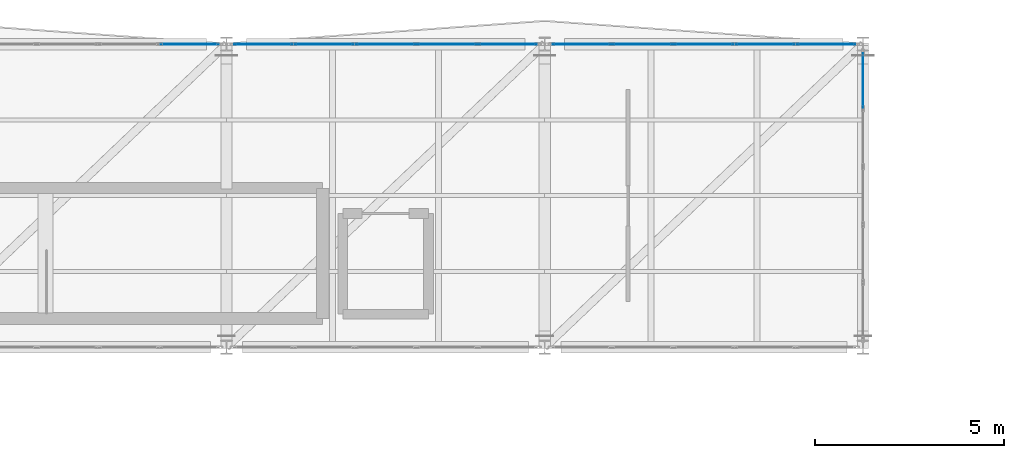
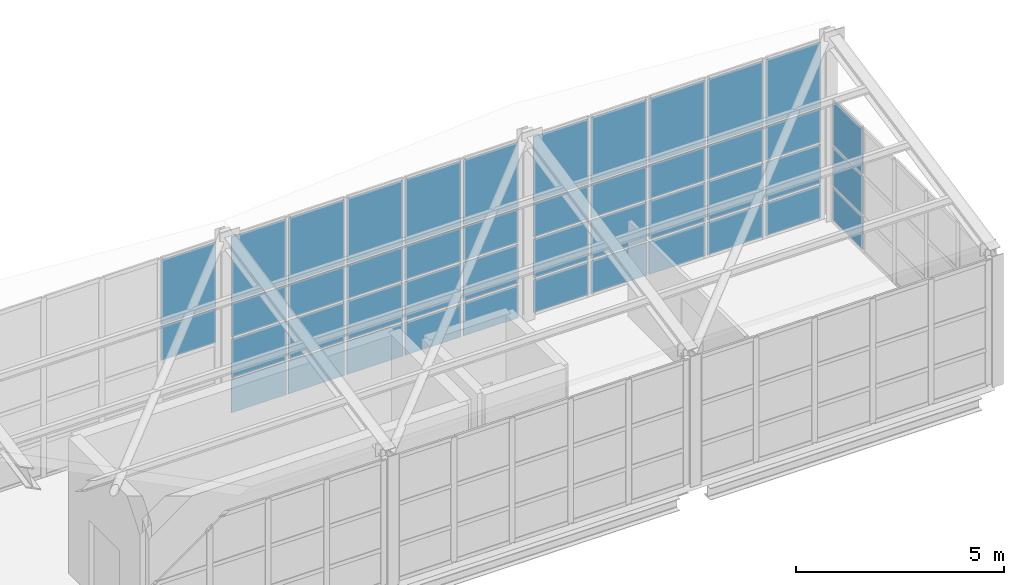
# One storey, part 140 of 177: 45 plates, 4 elements without a shape of their own.
"""IFC4 building model written with IfcOpenShell, lengths in metres."""

import ifcopenshell
import ifcopenshell.guid

model = None  # the IFC model being written
_history = None  # IfcOwnerHistory: only IFC2X3 demands one
_inside = {}  # id of a spatial element -> (the spatial element, [elements in it])
_under = {}  # id of a project, library or spatial element -> (it, [spatial elements below it])
_declared = {}  # id of a project -> (the project, [libraries it declares])
_typed = {}  # id of a type object -> (the type object, [elements of that type])
_made_of = {}  # id of a material, layer set ... -> (it, [elements and type objects made of it])


def new_model(schema):
    """Start an empty IFC model of exactly this schema.

    Asked for "IFC4X3", IfcOpenShell would pick the latest addendum, in which some entities
    have other attributes; the version numbers below select the first issue.
    IFC2X3 requires an IfcOwnerHistory on every rooted entity: one is made here for all.
    """
    global model, _history
    if schema == "IFC4X3":
        model = ifcopenshell.file(schema_version=(4, 3, 0, 0))
    else:
        model = ifcopenshell.file(schema=schema)
    _inside.clear()
    _under.clear()
    _declared.clear()
    _typed.clear()
    _made_of.clear()
    _history = None
    if model.schema == "IFC2X3":
        org = make("IfcOrganization", Name="unknown")
        user = make(
            "IfcPersonAndOrganization",
            ThePerson=make("IfcPerson", FamilyName="unknown"),
            TheOrganization=org,
        )
        app = make(
            "IfcApplication",
            ApplicationDeveloper=org,
            Version="unknown",
            ApplicationFullName="unknown",
            ApplicationIdentifier="unknown",
        )
        _history = make(
            "IfcOwnerHistory",
            OwningUser=user,
            OwningApplication=app,
            ChangeAction="ADDED",
            CreationDate=0,
        )
    return model


def make(cls, **values):
    """One entity of the class cls with the attributes given. An attribute that is None is left unset."""
    return model.create_entity(
        cls, **{name: value for name, value in values.items() if value is not None}
    )


def rooted(cls, **values):
    """An entity with a GlobalId (a new one), such as an element, a storey or a relation."""
    return make(cls, GlobalId=ifcopenshell.guid.new(), OwnerHistory=_history, **values)


def si_unit(unit_type, name, prefix=None):
    """IfcSIUnit, for example si_unit("LENGTHUNIT", "METRE", prefix="MILLI")."""
    return make("IfcSIUnit", UnitType=unit_type, Prefix=prefix, Name=name)


def assignment(units):
    """IfcUnitAssignment: the units of a project."""
    return None if units is None else make("IfcUnitAssignment", Units=units)


def point(xyz):
    """IfcCartesianPoint."""
    return None if xyz is None else make("IfcCartesianPoint", Coordinates=xyz)


def direction(xyz):
    """IfcDirection."""
    return None if xyz is None else make("IfcDirection", DirectionRatios=xyz)


def frame(location, z_axis=None, x_axis=None):
    """IfcAxis2Placement3D, a coordinate frame: its origin and axes. An axis left out is left unset."""
    return make(
        "IfcAxis2Placement3D",
        Location=point(location),
        Axis=direction(z_axis),
        RefDirection=direction(x_axis),
    )


def frame_2d(location, x_axis=None):
    """IfcAxis2Placement2D, a coordinate frame in the plane: its origin and x axis."""
    return make(
        "IfcAxis2Placement2D", Location=point(location), RefDirection=direction(x_axis)
    )


def origin():
    """The frame at (0, 0, 0) with its axes left unset."""
    return frame((0.0, 0.0, 0.0))


def origin_2d():
    """The frame at (0, 0) in the plane with its x axis left unset."""
    return frame_2d((0.0, 0.0))


def place(relative_to, where):
    """IfcLocalPlacement: puts the frame where relative to a parent placement (None: the world)."""
    return make(
        "IfcLocalPlacement", PlacementRelTo=relative_to, RelativePlacement=where
    )


def context(
    kind, dimensions, precision=None, world=None, true_north=None, identifier=None
):
    """IfcGeometricRepresentationContext, for example the 3D "Model" context."""
    return make(
        "IfcGeometricRepresentationContext",
        ContextIdentifier=identifier,
        ContextType=kind,
        CoordinateSpaceDimension=dimensions,
        Precision=precision,
        WorldCoordinateSystem=world,
        TrueNorth=true_north,
    )


def subcontext(parent, identifier, kind, view, scale=None):
    """IfcGeometricRepresentationSubContext, for example "Body" below "Model"."""
    return make(
        "IfcGeometricRepresentationSubContext",
        ContextIdentifier=identifier,
        ContextType=kind,
        ParentContext=parent,
        TargetScale=scale,
        TargetView=view,
    )


def project(units=None, contexts=None):
    """IfcProject with its units and contexts."""
    return rooted(
        "IfcProject",
        Name="project",
        RepresentationContexts=contexts,
        UnitsInContext=assignment(units),
    )


def spatial(cls, under=None, at=None, **own):
    """A site, building, storey or space (cls), placed at a placement, below another one or the project."""
    s = rooted(cls, ObjectPlacement=at, **own)
    if under is not None:
        _under.setdefault(under.id(), (under, []))[1].append(s)
    return s


def profile(cls, at=None, kind="AREA", **sizes):
    """A parametric profile (cls). Its sizes go by their IFC names, for example OverallWidth=200.0."""
    return make(cls, ProfileType=kind, Position=at, **sizes)


def rectangle(**sizes):
    """IfcRectangleProfileDef."""
    return profile("IfcRectangleProfileDef", **sizes)


def extrude(swept, where, along, depth):
    """IfcExtrudedAreaSolid: the profile swept, set in the frame where, extruded along a direction by depth."""
    return make(
        "IfcExtrudedAreaSolid",
        SweptArea=swept,
        Position=where,
        ExtrudedDirection=direction(along),
        Depth=depth,
    )


def shape(context_of_items, identifier, shape_type, items):
    """IfcShapeRepresentation: the items that make up one representation, for example the "Body"."""
    return make(
        "IfcShapeRepresentation",
        ContextOfItems=context_of_items,
        RepresentationIdentifier=identifier,
        RepresentationType=shape_type,
        Items=items,
    )


def material(Name=None, Category=None):
    """IfcMaterial."""
    return make("IfcMaterial", Name=Name, Category=Category)


def layer(
    of_material, thickness, ventilated=None, Name=None, Category=None, Priority=None
):
    """IfcMaterialLayer: one layer of a wall or slab, of a material (None: an air gap)."""
    return make(
        "IfcMaterialLayer",
        Material=of_material,
        LayerThickness=thickness,
        IsVentilated=ventilated,
        Name=Name,
        Category=Category,
        Priority=Priority,
    )


def layer_set(layers, Name=None):
    """IfcMaterialLayerSet."""
    return make("IfcMaterialLayerSet", MaterialLayers=layers, LayerSetName=Name)


def made_of(thing, what):
    """Note that an element or type object is made of a material, layer set ...; save() writes the relation."""
    if what is not None:
        _made_of.setdefault(what.id(), (what, []))[1].append(thing)
    return thing


def type_object(cls, material=None, **own):
    """A type object (cls), such as IfcWallType, which elements share."""
    return made_of(rooted(cls, **own), material)


def element(
    cls,
    number,
    at=None,
    inside=None,
    cuts=None,
    type_object=None,
    material=None,
    context=None,
    identifier="Body",
    shape_type=None,
    held_by="IfcProductDefinitionShape",
    body=None,
    shapes=None,
    **own,
):
    """One element of the class cls, such as IfcWall. Its Tag is "e" and its number.

    at: its placement. inside: the storey or other place that contains it. cuts: it is an
    opening in that element (IfcRelVoidsElement). A single representation is given by context,
    identifier, shape_type and body (its items); several are given by shapes. held_by: the class
    of the entity that holds the representations. save() writes the other relations.
    """
    e = rooted(cls, Tag="e%d" % number, ObjectPlacement=at, **own)
    if body is not None:
        shapes = [shape(context, identifier, shape_type, body)]
    if shapes is not None:
        e.Representation = make(held_by, Representations=shapes)
    if inside is not None:
        _inside.setdefault(inside.id(), (inside, []))[1].append(e)
    if cuts is not None:
        rooted(
            "IfcRelVoidsElement", RelatingBuildingElement=cuts, RelatedOpeningElement=e
        )
    if type_object is not None:
        _typed.setdefault(type_object.id(), (type_object, []))[1].append(e)
    return made_of(e, material)


def aggregate(whole, parts):
    """IfcRelAggregates: a whole, such as a stair, and the parts it consists of."""
    return rooted("IfcRelAggregates", RelatingObject=whole, RelatedObjects=parts)


def save(model, path):
    """Write the relations noted so far, then the file.

    IfcRelAggregates (storeys below a building ...), IfcRelContainedInSpatialStructure (elements
    in a storey), IfcRelDefinesByType, IfcRelAssociatesMaterial and IfcRelDeclares: one each for
    every whole, place, type object, material and project.
    """
    for whole, parts in _under.values():
        aggregate(whole, parts)
    for where, things in _inside.values():
        rooted(
            "IfcRelContainedInSpatialStructure",
            RelatedElements=things,
            RelatingStructure=where,
        )
    for kind, things in _typed.values():
        rooted("IfcRelDefinesByType", RelatedObjects=things, RelatingType=kind)
    for what, things in _made_of.values():
        rooted("IfcRelAssociatesMaterial", RelatedObjects=things, RelatingMaterial=what)
    for by, libraries in _declared.values():
        rooted("IfcRelDeclares", RelatingContext=by, RelatedDefinitions=libraries)
    model.write(path)


model = new_model("IFC4")

# Units and contexts
model_context = context("Model", 3, precision=1e-05, world=origin(), true_north=direction((0.0, 1.0)))
body_context = subcontext(model_context, "Body", "Model", "MODEL_VIEW")
ifc_project = project(units=[si_unit("LENGTHUNIT", "METRE"), si_unit("AREAUNIT", "SQUARE_METRE"), si_unit("VOLUMEUNIT", "CUBIC_METRE"), si_unit("PLANEANGLEUNIT", "RADIAN"), si_unit("MASSUNIT", "GRAM", prefix="KILO"), si_unit("THERMODYNAMICTEMPERATUREUNIT", "KELVIN"), si_unit("POWERUNIT", "WATT")], contexts=[model_context])

# Site, building, storey
site_placement = place(None, origin())
site = spatial("IfcSite", under=ifc_project, at=site_placement, CompositionType="ELEMENT")
building_placement = place(site_placement, origin())
building = spatial("IfcBuilding", under=site, at=building_placement, Name="Mavoryth Pier Ferry Terminal", CompositionType="ELEMENT")
storey_placement = place(building_placement, frame((0.0, 0.0, 5.43994140625)))
storey = spatial("IfcBuildingStorey", under=building, at=storey_placement, Name="L01", CompositionType="ELEMENT", Elevation=5.43994140625)

# Curtain wall, plates
ifc_material_1 = material(Name="Anodised Aluminium and Solar-Control Low-E Glass", Category="aluminium")
ifc_layer_1 = layer(ifc_material_1, 0.139892578125, Name="Anodised Aluminium and Solar-Control Low-E Glass", Category="aluminium")
ifc_layer_set_1 = layer_set([ifc_layer_1], Name="Anodised Aluminium and Solar-Control Low-E Glass - CW-Gallery-Mod1600")
curtain_wall_type = type_object("IfcCurtainWallType", Name="CW-Gallery-Mod1600", PredefinedType="USERDEFINED", material=ifc_layer_set_1)
curtain_wall_1_placement = place(storey_placement, origin())
curtain_wall_1 = element("IfcCurtainWall", 1, at=curtain_wall_1_placement, inside=storey, type_object=curtain_wall_type, Name="Curtain Wall CW-0122-090", ObjectType="UNITISED CURTAIN WALL", PredefinedType="USERDEFINED")
ifc_material_2 = material(Name="Solar-Control Low-E Laminated Double Glazing", Category="glass")
ifc_layer_2 = layer(ifc_material_2, 0.02392578125, Name="Solar-Control Low-E Laminated Double Glazing", Category="glass")
ifc_layer_set_2 = layer_set([ifc_layer_2], Name="Solar-Control Low-E Laminated Double Glazing - Panel-LowE-DGU-24")
plate_type = type_object("IfcPlateType", Name="Panel-LowE-DGU-24", PredefinedType="CURTAIN_PANEL", material=ifc_layer_set_2)
plate_1_placement = place(storey_placement, frame((133.425048828125, 114.0, 2.2802734375), z_axis=(0.0, 0.0, 1.0), x_axis=(-1.0, 0.0, 0.0)))
plate_1 = element("IfcPlate", 2, at=plate_1_placement, type_object=plate_type, Name="CW05 panel 1.3", PredefinedType="CURTAIN_PANEL", context=body_context, shape_type="SweptSolid", body=[
    extrude(rectangle(XDim=1.530029296875, YDim=0.02392578125, at=origin_2d()), origin(), (0.0, 0.0, 1.0), 0.989990234375),
])
plate_2_placement = place(storey_placement, frame((133.425048828125, 114.0, 3.330078125), z_axis=(0.0, 0.0, 1.0), x_axis=(-1.0, 0.0, 0.0)))
plate_2 = element("IfcPlate", 3, at=plate_2_placement, type_object=plate_type, Name="CW05 panel 1.4", PredefinedType="CURTAIN_PANEL", context=body_context, shape_type="SweptSolid", body=[
    extrude(rectangle(XDim=1.530029296875, YDim=0.02392578125, at=origin_2d()), origin(), (0.0, 0.0, 1.0), 1.897705078125),
])
aggregate(curtain_wall_1, [plate_1, plate_2])

curtain_wall_2_placement = place(storey_placement, origin())
curtain_wall_2 = element("IfcCurtainWall", 4, at=curtain_wall_2_placement, inside=storey, type_object=curtain_wall_type, Name="Curtain Wall CW-0122-092", ObjectType="UNITISED CURTAIN WALL", PredefinedType="USERDEFINED")
plate_3_placement = place(storey_placement, frame((141.824951171875, 114.0, 0.06005859375), z_axis=(0.0, 0.0, 1.0), x_axis=(-1.0, 0.0, 0.0)))
plate_3 = element("IfcPlate", 5, at=plate_3_placement, type_object=plate_type, Name="CW05 panel 1.1", PredefinedType="CURTAIN_PANEL", context=body_context, shape_type="SweptSolid", body=[
    extrude(rectangle(XDim=1.530029296875, YDim=0.02392578125, at=origin_2d()), origin(), (0.0, 0.0, 1.0), 0.9599609375),
])
plate_4_placement = place(storey_placement, frame((141.824951171875, 114.0, 1.080078125), z_axis=(0.0, 0.0, 1.0), x_axis=(-1.0, 0.0, 0.0)))
plate_4 = element("IfcPlate", 6, at=plate_4_placement, type_object=plate_type, Name="CW05 panel 1.2", PredefinedType="CURTAIN_PANEL", context=body_context, shape_type="SweptSolid", body=[
    extrude(rectangle(XDim=1.530029296875, YDim=0.02392578125, at=origin_2d()), origin(), (0.0, 0.0, 1.0), 1.139892578125),
])
plate_5_placement = place(storey_placement, frame((141.824951171875, 114.0, 2.2802734375), z_axis=(0.0, 0.0, 1.0), x_axis=(-1.0, 0.0, 0.0)))
plate_5 = element("IfcPlate", 7, at=plate_5_placement, type_object=plate_type, Name="CW05 panel 1.3", PredefinedType="CURTAIN_PANEL", context=body_context, shape_type="SweptSolid", body=[
    extrude(rectangle(XDim=1.530029296875, YDim=0.02392578125, at=origin_2d()), origin(), (0.0, 0.0, 1.0), 0.989990234375),
])
plate_6_placement = place(storey_placement, frame((141.824951171875, 114.0, 3.330078125), z_axis=(0.0, 0.0, 1.0), x_axis=(-1.0, 0.0, 0.0)))
plate_6 = element("IfcPlate", 8, at=plate_6_placement, type_object=plate_type, Name="CW05 panel 1.4", PredefinedType="CURTAIN_PANEL", context=body_context, shape_type="SweptSolid", body=[
    extrude(rectangle(XDim=1.530029296875, YDim=0.02392578125, at=origin_2d()), origin(), (0.0, 0.0, 1.0), 1.897705078125),
])
plate_7_placement = place(storey_placement, frame((140.219970703125, 114.0, 0.06005859375), z_axis=(0.0, 0.0, 1.0), x_axis=(-1.0, 0.0, 0.0)))
plate_7 = element("IfcPlate", 9, at=plate_7_placement, type_object=plate_type, Name="CW05 panel 2.1", PredefinedType="CURTAIN_PANEL", context=body_context, shape_type="SweptSolid", body=[
    extrude(rectangle(XDim=1.56005859375, YDim=0.02392578125, at=origin_2d()), origin(), (0.0, 0.0, 1.0), 0.9599609375),
])
plate_8_placement = place(storey_placement, frame((140.219970703125, 114.0, 1.080078125), z_axis=(0.0, 0.0, 1.0), x_axis=(-1.0, 0.0, 0.0)))
plate_8 = element("IfcPlate", 10, at=plate_8_placement, type_object=plate_type, Name="CW05 panel 2.2", PredefinedType="CURTAIN_PANEL", context=body_context, shape_type="SweptSolid", body=[
    extrude(rectangle(XDim=1.56005859375, YDim=0.02392578125, at=origin_2d()), origin(), (0.0, 0.0, 1.0), 1.139892578125),
])
plate_9_placement = place(storey_placement, frame((140.219970703125, 114.0, 2.2802734375), z_axis=(0.0, 0.0, 1.0), x_axis=(-1.0, 0.0, 0.0)))
plate_9 = element("IfcPlate", 11, at=plate_9_placement, type_object=plate_type, Name="CW05 panel 2.3", PredefinedType="CURTAIN_PANEL", context=body_context, shape_type="SweptSolid", body=[
    extrude(rectangle(XDim=1.56005859375, YDim=0.02392578125, at=origin_2d()), origin(), (0.0, 0.0, 1.0), 0.989990234375),
])
plate_10_placement = place(storey_placement, frame((140.219970703125, 114.0, 3.330078125), z_axis=(0.0, 0.0, 1.0), x_axis=(-1.0, 0.0, 0.0)))
plate_10 = element("IfcPlate", 12, at=plate_10_placement, type_object=plate_type, Name="CW05 panel 2.4", PredefinedType="CURTAIN_PANEL", context=body_context, shape_type="SweptSolid", body=[
    extrude(rectangle(XDim=1.56005859375, YDim=0.02392578125, at=origin_2d()), origin(), (0.0, 0.0, 1.0), 1.897705078125),
])
plate_11_placement = place(storey_placement, frame((138.60009765625, 114.0, 0.06005859375), z_axis=(0.0, 0.0, 1.0), x_axis=(-1.0, 0.0, 0.0)))
plate_11 = element("IfcPlate", 13, at=plate_11_placement, type_object=plate_type, Name="CW05 panel 3.1", PredefinedType="CURTAIN_PANEL", context=body_context, shape_type="SweptSolid", body=[
    extrude(rectangle(XDim=1.56005859375, YDim=0.02392578125, at=origin_2d()), origin(), (0.0, 0.0, 1.0), 0.9599609375),
])
plate_12_placement = place(storey_placement, frame((138.60009765625, 114.0, 1.080078125), z_axis=(0.0, 0.0, 1.0), x_axis=(-1.0, 0.0, 0.0)))
plate_12 = element("IfcPlate", 14, at=plate_12_placement, type_object=plate_type, Name="CW05 panel 3.2", PredefinedType="CURTAIN_PANEL", context=body_context, shape_type="SweptSolid", body=[
    extrude(rectangle(XDim=1.56005859375, YDim=0.02392578125, at=origin_2d()), origin(), (0.0, 0.0, 1.0), 1.139892578125),
])
plate_13_placement = place(storey_placement, frame((138.60009765625, 114.0, 2.2802734375), z_axis=(0.0, 0.0, 1.0), x_axis=(-1.0, 0.0, 0.0)))
plate_13 = element("IfcPlate", 15, at=plate_13_placement, type_object=plate_type, Name="CW05 panel 3.3", PredefinedType="CURTAIN_PANEL", context=body_context, shape_type="SweptSolid", body=[
    extrude(rectangle(XDim=1.56005859375, YDim=0.02392578125, at=origin_2d()), origin(), (0.0, 0.0, 1.0), 0.989990234375),
])
plate_14_placement = place(storey_placement, frame((138.60009765625, 114.0, 3.330078125), z_axis=(0.0, 0.0, 1.0), x_axis=(-1.0, 0.0, 0.0)))
plate_14 = element("IfcPlate", 16, at=plate_14_placement, type_object=plate_type, Name="CW05 panel 3.4", PredefinedType="CURTAIN_PANEL", context=body_context, shape_type="SweptSolid", body=[
    extrude(rectangle(XDim=1.56005859375, YDim=0.02392578125, at=origin_2d()), origin(), (0.0, 0.0, 1.0), 1.897705078125),
])
plate_15_placement = place(storey_placement, frame((136.97998046875, 114.0, 0.06005859375), z_axis=(0.0, 0.0, 1.0), x_axis=(-1.0, 0.0, 0.0)))
plate_15 = element("IfcPlate", 17, at=plate_15_placement, type_object=plate_type, Name="CW05 panel 4.1", PredefinedType="CURTAIN_PANEL", context=body_context, shape_type="SweptSolid", body=[
    extrude(rectangle(XDim=1.56005859375, YDim=0.02392578125, at=origin_2d()), origin(), (0.0, 0.0, 1.0), 0.9599609375),
])
plate_16_placement = place(storey_placement, frame((136.97998046875, 114.0, 1.080078125), z_axis=(0.0, 0.0, 1.0), x_axis=(-1.0, 0.0, 0.0)))
plate_16 = element("IfcPlate", 18, at=plate_16_placement, type_object=plate_type, Name="CW05 panel 4.2", PredefinedType="CURTAIN_PANEL", context=body_context, shape_type="SweptSolid", body=[
    extrude(rectangle(XDim=1.56005859375, YDim=0.02392578125, at=origin_2d()), origin(), (0.0, 0.0, 1.0), 1.139892578125),
])
plate_17_placement = place(storey_placement, frame((136.97998046875, 114.0, 2.2802734375), z_axis=(0.0, 0.0, 1.0), x_axis=(-1.0, 0.0, 0.0)))
plate_17 = element("IfcPlate", 19, at=plate_17_placement, type_object=plate_type, Name="CW05 panel 4.3", PredefinedType="CURTAIN_PANEL", context=body_context, shape_type="SweptSolid", body=[
    extrude(rectangle(XDim=1.56005859375, YDim=0.02392578125, at=origin_2d()), origin(), (0.0, 0.0, 1.0), 0.989990234375),
])
plate_18_placement = place(storey_placement, frame((136.97998046875, 114.0, 3.330078125), z_axis=(0.0, 0.0, 1.0), x_axis=(-1.0, 0.0, 0.0)))
plate_18 = element("IfcPlate", 20, at=plate_18_placement, type_object=plate_type, Name="CW05 panel 4.4", PredefinedType="CURTAIN_PANEL", context=body_context, shape_type="SweptSolid", body=[
    extrude(rectangle(XDim=1.56005859375, YDim=0.02392578125, at=origin_2d()), origin(), (0.0, 0.0, 1.0), 1.897705078125),
])
plate_19_placement = place(storey_placement, frame((135.375, 114.0, 0.06005859375), z_axis=(0.0, 0.0, 1.0), x_axis=(-1.0, 0.0, 0.0)))
plate_19 = element("IfcPlate", 21, at=plate_19_placement, type_object=plate_type, Name="CW05 panel 5.1", PredefinedType="CURTAIN_PANEL", context=body_context, shape_type="SweptSolid", body=[
    extrude(rectangle(XDim=1.530029296875, YDim=0.02392578125, at=origin_2d()), origin(), (0.0, 0.0, 1.0), 0.9599609375),
])
plate_20_placement = place(storey_placement, frame((135.375, 114.0, 1.080078125), z_axis=(0.0, 0.0, 1.0), x_axis=(-1.0, 0.0, 0.0)))
plate_20 = element("IfcPlate", 22, at=plate_20_placement, type_object=plate_type, Name="CW05 panel 5.2", PredefinedType="CURTAIN_PANEL", context=body_context, shape_type="SweptSolid", body=[
    extrude(rectangle(XDim=1.530029296875, YDim=0.02392578125, at=origin_2d()), origin(), (0.0, 0.0, 1.0), 1.139892578125),
])
plate_21_placement = place(storey_placement, frame((135.375, 114.0, 2.2802734375), z_axis=(0.0, 0.0, 1.0), x_axis=(-1.0, 0.0, 0.0)))
plate_21 = element("IfcPlate", 23, at=plate_21_placement, type_object=plate_type, Name="CW05 panel 5.3", PredefinedType="CURTAIN_PANEL", context=body_context, shape_type="SweptSolid", body=[
    extrude(rectangle(XDim=1.530029296875, YDim=0.02392578125, at=origin_2d()), origin(), (0.0, 0.0, 1.0), 0.989990234375),
])
plate_22_placement = place(storey_placement, frame((135.375, 114.0, 3.330078125), z_axis=(0.0, 0.0, 1.0), x_axis=(-1.0, 0.0, 0.0)))
plate_22 = element("IfcPlate", 24, at=plate_22_placement, type_object=plate_type, Name="CW05 panel 5.4", PredefinedType="CURTAIN_PANEL", context=body_context, shape_type="SweptSolid", body=[
    extrude(rectangle(XDim=1.530029296875, YDim=0.02392578125, at=origin_2d()), origin(), (0.0, 0.0, 1.0), 1.897705078125),
])
aggregate(curtain_wall_2, [plate_3, plate_4, plate_5, plate_6, plate_7, plate_8, plate_9, plate_10, plate_11, plate_12, plate_13, plate_14, plate_15, plate_16, plate_17, plate_18, plate_19, plate_20, plate_21, plate_22])

curtain_wall_3_placement = place(storey_placement, origin())
curtain_wall_3 = element("IfcCurtainWall", 25, at=curtain_wall_3_placement, inside=storey, type_object=curtain_wall_type, Name="Curtain Wall CW-0122-094", ObjectType="UNITISED CURTAIN WALL", PredefinedType="USERDEFINED")
plate_23_placement = place(storey_placement, frame((150.22509765625, 114.0, 0.06005859375), z_axis=(0.0, 0.0, 1.0), x_axis=(-1.0, 0.0, 0.0)))
plate_23 = element("IfcPlate", 26, at=plate_23_placement, type_object=plate_type, Name="CW05 panel 1.1", PredefinedType="CURTAIN_PANEL", context=body_context, shape_type="SweptSolid", body=[
    extrude(rectangle(XDim=1.530029296875, YDim=0.02392578125, at=origin_2d()), origin(), (0.0, 0.0, 1.0), 0.9599609375),
])
plate_24_placement = place(storey_placement, frame((150.22509765625, 114.0, 1.080078125), z_axis=(0.0, 0.0, 1.0), x_axis=(-1.0, 0.0, 0.0)))
plate_24 = element("IfcPlate", 27, at=plate_24_placement, type_object=plate_type, Name="CW05 panel 1.2", PredefinedType="CURTAIN_PANEL", context=body_context, shape_type="SweptSolid", body=[
    extrude(rectangle(XDim=1.530029296875, YDim=0.02392578125, at=origin_2d()), origin(), (0.0, 0.0, 1.0), 1.139892578125),
])
plate_25_placement = place(storey_placement, frame((150.22509765625, 114.0, 2.2802734375), z_axis=(0.0, 0.0, 1.0), x_axis=(-1.0, 0.0, 0.0)))
plate_25 = element("IfcPlate", 28, at=plate_25_placement, type_object=plate_type, Name="CW05 panel 1.3", PredefinedType="CURTAIN_PANEL", context=body_context, shape_type="SweptSolid", body=[
    extrude(rectangle(XDim=1.530029296875, YDim=0.02392578125, at=origin_2d()), origin(), (0.0, 0.0, 1.0), 0.989990234375),
])
plate_26_placement = place(storey_placement, frame((150.22509765625, 114.0, 3.330078125), z_axis=(0.0, 0.0, 1.0), x_axis=(-1.0, 0.0, 0.0)))
plate_26 = element("IfcPlate", 29, at=plate_26_placement, type_object=plate_type, Name="CW05 panel 1.4", PredefinedType="CURTAIN_PANEL", context=body_context, shape_type="SweptSolid", body=[
    extrude(rectangle(XDim=1.530029296875, YDim=0.02392578125, at=origin_2d()), origin(), (0.0, 0.0, 1.0), 1.897705078125),
])
plate_27_placement = place(storey_placement, frame((148.6201171875, 114.0, 0.06005859375), z_axis=(0.0, 0.0, 1.0), x_axis=(-1.0, 0.0, 0.0)))
plate_27 = element("IfcPlate", 30, at=plate_27_placement, type_object=plate_type, Name="CW05 panel 2.1", PredefinedType="CURTAIN_PANEL", context=body_context, shape_type="SweptSolid", body=[
    extrude(rectangle(XDim=1.56005859375, YDim=0.02392578125, at=origin_2d()), origin(), (0.0, 0.0, 1.0), 0.9599609375),
])
plate_28_placement = place(storey_placement, frame((148.6201171875, 114.0, 1.080078125), z_axis=(0.0, 0.0, 1.0), x_axis=(-1.0, 0.0, 0.0)))
plate_28 = element("IfcPlate", 31, at=plate_28_placement, type_object=plate_type, Name="CW05 panel 2.2", PredefinedType="CURTAIN_PANEL", context=body_context, shape_type="SweptSolid", body=[
    extrude(rectangle(XDim=1.56005859375, YDim=0.02392578125, at=origin_2d()), origin(), (0.0, 0.0, 1.0), 1.139892578125),
])
plate_29_placement = place(storey_placement, frame((148.6201171875, 114.0, 2.2802734375), z_axis=(0.0, 0.0, 1.0), x_axis=(-1.0, 0.0, 0.0)))
plate_29 = element("IfcPlate", 32, at=plate_29_placement, type_object=plate_type, Name="CW05 panel 2.3", PredefinedType="CURTAIN_PANEL", context=body_context, shape_type="SweptSolid", body=[
    extrude(rectangle(XDim=1.56005859375, YDim=0.02392578125, at=origin_2d()), origin(), (0.0, 0.0, 1.0), 0.989990234375),
])
plate_30_placement = place(storey_placement, frame((148.6201171875, 114.0, 3.330078125), z_axis=(0.0, 0.0, 1.0), x_axis=(-1.0, 0.0, 0.0)))
plate_30 = element("IfcPlate", 33, at=plate_30_placement, type_object=plate_type, Name="CW05 panel 2.4", PredefinedType="CURTAIN_PANEL", context=body_context, shape_type="SweptSolid", body=[
    extrude(rectangle(XDim=1.56005859375, YDim=0.02392578125, at=origin_2d()), origin(), (0.0, 0.0, 1.0), 1.897705078125),
])
plate_31_placement = place(storey_placement, frame((147.0, 114.0, 0.06005859375), z_axis=(0.0, 0.0, 1.0), x_axis=(-1.0, 0.0, 0.0)))
plate_31 = element("IfcPlate", 34, at=plate_31_placement, type_object=plate_type, Name="CW05 panel 3.1", PredefinedType="CURTAIN_PANEL", context=body_context, shape_type="SweptSolid", body=[
    extrude(rectangle(XDim=1.56005859375, YDim=0.02392578125, at=origin_2d()), origin(), (0.0, 0.0, 1.0), 0.9599609375),
])
plate_32_placement = place(storey_placement, frame((147.0, 114.0, 1.080078125), z_axis=(0.0, 0.0, 1.0), x_axis=(-1.0, 0.0, 0.0)))
plate_32 = element("IfcPlate", 35, at=plate_32_placement, type_object=plate_type, Name="CW05 panel 3.2", PredefinedType="CURTAIN_PANEL", context=body_context, shape_type="SweptSolid", body=[
    extrude(rectangle(XDim=1.56005859375, YDim=0.02392578125, at=origin_2d()), origin(), (0.0, 0.0, 1.0), 1.139892578125),
])
plate_33_placement = place(storey_placement, frame((147.0, 114.0, 2.2802734375), z_axis=(0.0, 0.0, 1.0), x_axis=(-1.0, 0.0, 0.0)))
plate_33 = element("IfcPlate", 36, at=plate_33_placement, type_object=plate_type, Name="CW05 panel 3.3", PredefinedType="CURTAIN_PANEL", context=body_context, shape_type="SweptSolid", body=[
    extrude(rectangle(XDim=1.56005859375, YDim=0.02392578125, at=origin_2d()), origin(), (0.0, 0.0, 1.0), 0.989990234375),
])
plate_34_placement = place(storey_placement, frame((147.0, 114.0, 3.330078125), z_axis=(0.0, 0.0, 1.0), x_axis=(-1.0, 0.0, 0.0)))
plate_34 = element("IfcPlate", 37, at=plate_34_placement, type_object=plate_type, Name="CW05 panel 3.4", PredefinedType="CURTAIN_PANEL", context=body_context, shape_type="SweptSolid", body=[
    extrude(rectangle(XDim=1.56005859375, YDim=0.02392578125, at=origin_2d()), origin(), (0.0, 0.0, 1.0), 1.897705078125),
])
plate_35_placement = place(storey_placement, frame((145.3798828125, 114.0, 0.06005859375), z_axis=(0.0, 0.0, 1.0), x_axis=(-1.0, 0.0, 0.0)))
plate_35 = element("IfcPlate", 38, at=plate_35_placement, type_object=plate_type, Name="CW05 panel 4.1", PredefinedType="CURTAIN_PANEL", context=body_context, shape_type="SweptSolid", body=[
    extrude(rectangle(XDim=1.56005859375, YDim=0.02392578125, at=origin_2d()), origin(), (0.0, 0.0, 1.0), 0.9599609375),
])
plate_36_placement = place(storey_placement, frame((145.3798828125, 114.0, 1.080078125), z_axis=(0.0, 0.0, 1.0), x_axis=(-1.0, 0.0, 0.0)))
plate_36 = element("IfcPlate", 39, at=plate_36_placement, type_object=plate_type, Name="CW05 panel 4.2", PredefinedType="CURTAIN_PANEL", context=body_context, shape_type="SweptSolid", body=[
    extrude(rectangle(XDim=1.56005859375, YDim=0.02392578125, at=origin_2d()), origin(), (0.0, 0.0, 1.0), 1.139892578125),
])
plate_37_placement = place(storey_placement, frame((145.3798828125, 114.0, 2.2802734375), z_axis=(0.0, 0.0, 1.0), x_axis=(-1.0, 0.0, 0.0)))
plate_37 = element("IfcPlate", 40, at=plate_37_placement, type_object=plate_type, Name="CW05 panel 4.3", PredefinedType="CURTAIN_PANEL", context=body_context, shape_type="SweptSolid", body=[
    extrude(rectangle(XDim=1.56005859375, YDim=0.02392578125, at=origin_2d()), origin(), (0.0, 0.0, 1.0), 0.989990234375),
])
plate_38_placement = place(storey_placement, frame((145.3798828125, 114.0, 3.330078125), z_axis=(0.0, 0.0, 1.0), x_axis=(-1.0, 0.0, 0.0)))
plate_38 = element("IfcPlate", 41, at=plate_38_placement, type_object=plate_type, Name="CW05 panel 4.4", PredefinedType="CURTAIN_PANEL", context=body_context, shape_type="SweptSolid", body=[
    extrude(rectangle(XDim=1.56005859375, YDim=0.02392578125, at=origin_2d()), origin(), (0.0, 0.0, 1.0), 1.897705078125),
])
plate_39_placement = place(storey_placement, frame((143.77490234375, 114.0, 0.06005859375), z_axis=(0.0, 0.0, 1.0), x_axis=(-1.0, 0.0, 0.0)))
plate_39 = element("IfcPlate", 42, at=plate_39_placement, type_object=plate_type, Name="CW05 panel 5.1", PredefinedType="CURTAIN_PANEL", context=body_context, shape_type="SweptSolid", body=[
    extrude(rectangle(XDim=1.530029296875, YDim=0.02392578125, at=origin_2d()), origin(), (0.0, 0.0, 1.0), 0.9599609375),
])
plate_40_placement = place(storey_placement, frame((143.77490234375, 114.0, 1.080078125), z_axis=(0.0, 0.0, 1.0), x_axis=(-1.0, 0.0, 0.0)))
plate_40 = element("IfcPlate", 43, at=plate_40_placement, type_object=plate_type, Name="CW05 panel 5.2", PredefinedType="CURTAIN_PANEL", context=body_context, shape_type="SweptSolid", body=[
    extrude(rectangle(XDim=1.530029296875, YDim=0.02392578125, at=origin_2d()), origin(), (0.0, 0.0, 1.0), 1.139892578125),
])
plate_41_placement = place(storey_placement, frame((143.77490234375, 114.0, 2.2802734375), z_axis=(0.0, 0.0, 1.0), x_axis=(-1.0, 0.0, 0.0)))
plate_41 = element("IfcPlate", 44, at=plate_41_placement, type_object=plate_type, Name="CW05 panel 5.3", PredefinedType="CURTAIN_PANEL", context=body_context, shape_type="SweptSolid", body=[
    extrude(rectangle(XDim=1.530029296875, YDim=0.02392578125, at=origin_2d()), origin(), (0.0, 0.0, 1.0), 0.989990234375),
])
plate_42_placement = place(storey_placement, frame((143.77490234375, 114.0, 3.330078125), z_axis=(0.0, 0.0, 1.0), x_axis=(-1.0, 0.0, 0.0)))
plate_42 = element("IfcPlate", 45, at=plate_42_placement, type_object=plate_type, Name="CW05 panel 5.4", PredefinedType="CURTAIN_PANEL", context=body_context, shape_type="SweptSolid", body=[
    extrude(rectangle(XDim=1.530029296875, YDim=0.02392578125, at=origin_2d()), origin(), (0.0, 0.0, 1.0), 1.897705078125),
])
aggregate(curtain_wall_3, [plate_23, plate_24, plate_25, plate_26, plate_27, plate_28, plate_29, plate_30, plate_31, plate_32, plate_33, plate_34, plate_35, plate_36, plate_37, plate_38, plate_39, plate_40, plate_41, plate_42])

curtain_wall_4_placement = place(storey_placement, origin())
curtain_wall_4 = element("IfcCurtainWall", 46, at=curtain_wall_4_placement, inside=storey, type_object=curtain_wall_type, Name="Curtain Wall CW-0122-097", ObjectType="UNITISED CURTAIN WALL", PredefinedType="USERDEFINED")
plate_43_placement = place(storey_placement, frame((151.199951171875, 113.041015625, 0.06005859375), z_axis=(0.0, 0.0, 1.0), x_axis=(0.0, 1.0, 0.0)))
plate_43 = element("IfcPlate", 47, at=plate_43_placement, type_object=plate_type, Name="CW05 panel 5.1", PredefinedType="CURTAIN_PANEL", context=body_context, shape_type="SweptSolid", body=[
    extrude(rectangle(XDim=1.43798828125, YDim=0.02392578125, at=origin_2d()), origin(), (0.0, 0.0, 1.0), 0.9599609375),
])
plate_44_placement = place(storey_placement, frame((151.199951171875, 113.041015625, 1.080078125), z_axis=(0.0, 0.0, 1.0), x_axis=(0.0, 1.0, 0.0)))
plate_44 = element("IfcPlate", 48, at=plate_44_placement, type_object=plate_type, Name="CW05 panel 5.2", PredefinedType="CURTAIN_PANEL", context=body_context, shape_type="SweptSolid", body=[
    extrude(rectangle(XDim=1.43798828125, YDim=0.02392578125, at=origin_2d()), origin(), (0.0, 0.0, 1.0), 1.139892578125),
])
plate_45_placement = place(storey_placement, frame((151.199951171875, 113.041015625, 2.27978515625), z_axis=(0.0, 0.0, 1.0), x_axis=(0.0, 1.0, 0.0)))
plate_45 = element("IfcPlate", 49, at=plate_45_placement, type_object=plate_type, Name="CW05 panel 5.3", PredefinedType="CURTAIN_PANEL", context=body_context, shape_type="SweptSolid", body=[
    extrude(rectangle(XDim=1.43798828125, YDim=0.02392578125, at=origin_2d()), origin(), (0.0, 0.0, 1.0), 1.320068359375),
])
aggregate(curtain_wall_4, [plate_43, plate_44, plate_45])

save(model, "model.ifc")
